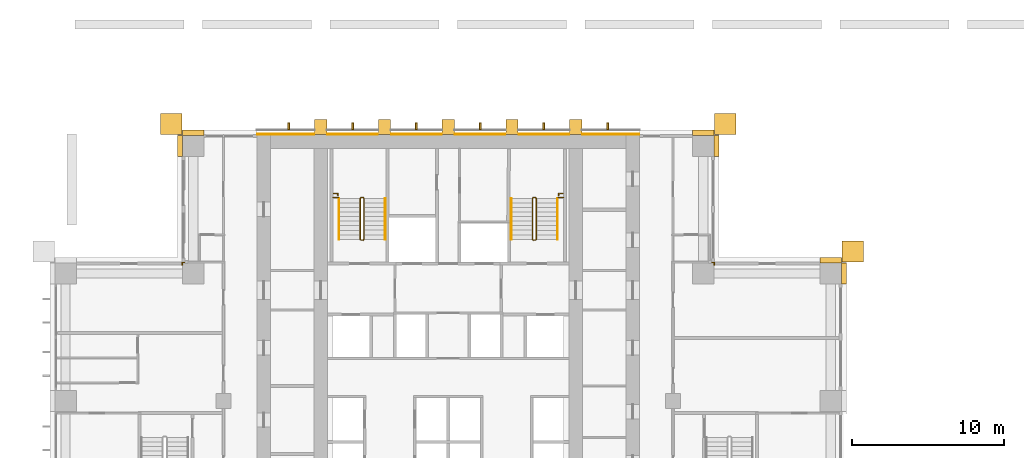
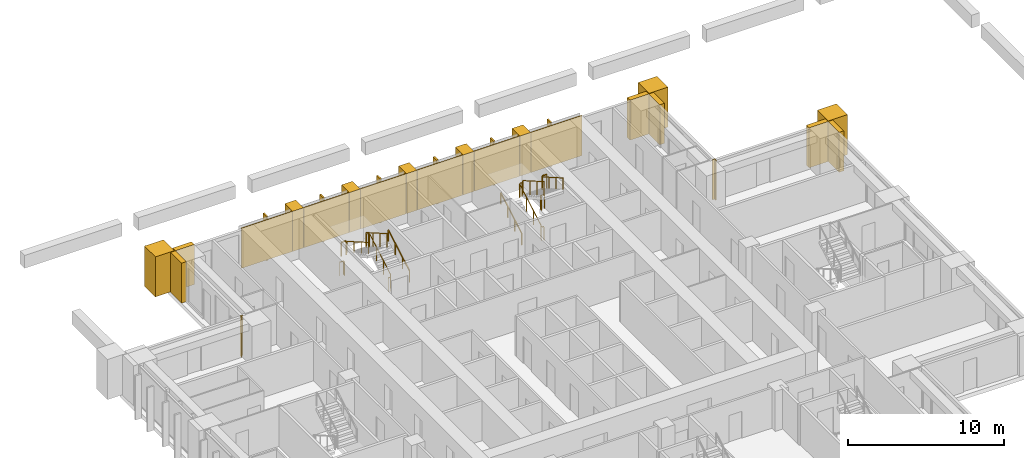
# One storey, part 18 of 18: 28 coverings, 10 railings.
"""IFC4 building model written with IfcOpenShell, lengths in metres."""

from ifc_helpers import new_model, si_unit, direction, frame, origin, origin_2d, place, context, subcontext, project, spatial, polyline, rectangle, outline, extrude, material, layer, layer_set, type_object, element, save


model = new_model("IFC4")

# Units and contexts
model_context = context("Model", 3, precision=1e-05, world=origin(), true_north=direction((0.0, 1.0)))
body_context = subcontext(model_context, "Body", "Model", "MODEL_VIEW")
ifc_project = project(units=[si_unit("LENGTHUNIT", "METRE"), si_unit("AREAUNIT", "SQUARE_METRE"), si_unit("VOLUMEUNIT", "CUBIC_METRE"), si_unit("PLANEANGLEUNIT", "RADIAN"), si_unit("MASSUNIT", "GRAM", prefix="KILO")], contexts=[model_context])

# Site, building, storey
site_placement = place(None, origin())
site = spatial("IfcSite", under=ifc_project, at=site_placement, CompositionType="ELEMENT")
building_placement = place(site_placement, origin())
building = spatial("IfcBuilding", under=site, at=building_placement, Name="Vermilion Ogive Tower", CompositionType="ELEMENT")
storey_placement = place(building_placement, frame((0.0, 0.0, 34.5)))
storey = spatial("IfcBuildingStorey", under=building, at=storey_placement, Name="L06", CompositionType="ELEMENT", Elevation=34.5)

# Coverings
ifc_material_1 = material(Name="Glazed ceramic screen")
ifc_layer = layer(ifc_material_1, 0.14990234375)
ifc_layer_set = layer_set([ifc_layer], Name="Ceramic solar screen fin")
covering_type_1 = type_object("IfcCoveringType", Name="Ceramic solar screen fin", PredefinedType="CLADDING", material=ifc_layer_set)
covering_1_placement = place(storey_placement, frame((0.0, 0.0, -0.320068359375)))
element("IfcCovering", 1, at=covering_1_placement, inside=storey, type_object=covering_type_1, Name="Solar screen blade N1", PredefinedType="CLADDING", context=body_context, shape_type="SweptSolid", body=[
    extrude(outline(polyline([(-10.56005859375, 22.08203125), (-10.43994140625, 22.08203125), (-10.43994140625, 22.531982421875), (-10.56005859375, 22.531982421875), (-10.56005859375, 22.08203125)])), origin(), (0.0, 0.0, 1.0), 3.449951171875),
])
covering_2_placement = place(storey_placement, frame((0.0, 0.0, -0.320068359375)))
element("IfcCovering", 2, at=covering_2_placement, inside=storey, type_object=covering_type_1, Name="Solar screen blade N2", PredefinedType="CLADDING", context=body_context, shape_type="SweptSolid", body=[
    extrude(outline(polyline([(-6.360107421875, 22.08203125), (-6.239990234375, 22.08203125), (-6.239990234375, 22.531982421875), (-6.360107421875, 22.531982421875), (-6.360107421875, 22.08203125)])), origin(), (0.0, 0.0, 1.0), 3.449951171875),
])
covering_3_placement = place(storey_placement, frame((0.0, 0.0, -0.320068359375)))
element("IfcCovering", 3, at=covering_3_placement, inside=storey, type_object=covering_type_1, Name="Solar screen blade N3", PredefinedType="CLADDING", context=body_context, shape_type="SweptSolid", body=[
    extrude(outline(polyline([(-2.159912109375, 22.08203125), (-2.0400390625, 22.08203125), (-2.0400390625, 22.531982421875), (-2.159912109375, 22.531982421875), (-2.159912109375, 22.08203125)])), origin(), (0.0, 0.0, 1.0), 3.449951171875),
])
covering_4_placement = place(storey_placement, frame((0.0, 0.0, -0.320068359375)))
element("IfcCovering", 4, at=covering_4_placement, inside=storey, type_object=covering_type_1, Name="Solar screen blade N4", PredefinedType="CLADDING", context=body_context, shape_type="SweptSolid", body=[
    extrude(outline(polyline([(2.0400390625, 22.08203125), (2.159912109375, 22.08203125), (2.159912109375, 22.531982421875), (2.0400390625, 22.531982421875), (2.0400390625, 22.08203125)])), origin(), (0.0, 0.0, 1.0), 3.449951171875),
])
covering_5_placement = place(storey_placement, frame((0.0, 0.0, -0.320068359375)))
element("IfcCovering", 5, at=covering_5_placement, inside=storey, type_object=covering_type_1, Name="Solar screen blade N5", PredefinedType="CLADDING", context=body_context, shape_type="SweptSolid", body=[
    extrude(outline(polyline([(6.239990234375, 22.08203125), (6.360107421875, 22.08203125), (6.360107421875, 22.531982421875), (6.239990234375, 22.531982421875), (6.239990234375, 22.08203125)])), origin(), (0.0, 0.0, 1.0), 3.449951171875),
])
covering_6_placement = place(storey_placement, frame((0.0, 0.0, -0.320068359375)))
element("IfcCovering", 6, at=covering_6_placement, inside=storey, type_object=covering_type_1, Name="Solar screen blade N6", PredefinedType="CLADDING", context=body_context, shape_type="SweptSolid", body=[
    extrude(outline(polyline([(10.43994140625, 22.08203125), (10.56005859375, 22.08203125), (10.56005859375, 22.531982421875), (10.43994140625, 22.531982421875), (10.43994140625, 22.08203125)])), origin(), (0.0, 0.0, 1.0), 3.449951171875),
])

# Railings
ifc_material_2 = material(Name="Steel S355 painted", Category="steel")
railing_type_1 = type_object("IfcRailingType", Name="Stair guard 1100", PredefinedType="GUARDRAIL", material=ifc_material_2)
railing_1_placement = place(storey_placement, frame((-5.75, 14.800048828125, 0.0)))
element("IfcRailing", 7, at=railing_1_placement, inside=storey, type_object=railing_type_1, Name="L06 ST1 stair guard 4", PredefinedType="GUARDRAIL", context=body_context, shape_type="SweptSolid", body=[
    extrude(rectangle(XDim=0.048095703125, YDim=0.048095703125, at=origin_2d()), frame((0.0, 0.0, 1.076171875), z_axis=(1.0, 0.0, 0.0), x_axis=(0.0, 1.0, 0.0)), (0.0, 0.0, 1.0), 0.14990234375),
    extrude(rectangle(XDim=0.048095703125, YDim=0.048095703125, at=origin_2d()), frame((0.14990234375, 0.0, 1.076171875), z_axis=(0.268277960024, 0.268277960024, 0.925231793839), x_axis=(-0.707106781187, 0.707106781187, 0.0)), (0.0, 0.0, 1.0), 0.1865234375),
    extrude(rectangle(XDim=0.048095703125, YDim=0.048095703125, at=origin_2d()), frame((0.199951171875, 0.050048828125, 1.24853515625), z_axis=(0.0, 0.866903762492, 0.498475542607), x_axis=(-1.0, 0.0, 0.0)), (0.0, 0.0, 1.0), 3.114501953125),
    extrude(rectangle(XDim=0.048095703125, YDim=0.048095703125, at=origin_2d()), frame((0.199951171875, 2.75, 2.80126953125), z_axis=(-0.707106781187, 0.707106781187, 0.0), x_axis=(-0.707106781187, -0.707106781187, 0.0)), (0.0, 0.0, 1.0), 0.07080078125),
    extrude(rectangle(XDim=0.048095703125, YDim=0.048095703125, at=origin_2d()), frame((0.14990234375, 2.800048828125, 2.80126953125), z_axis=(-1.0, 0.0, 0.0), x_axis=(0.0, -1.0, 0.0)), (0.0, 0.0, 1.0), 0.14990234375),
    extrude(rectangle(XDim=0.048095703125, YDim=0.048095703125, at=origin_2d()), frame((0.0, 2.800048828125, 2.80126953125), z_axis=(-0.268603158521, -0.268603158521, 0.925043072762), x_axis=(0.707106781187, -0.707106781187, 0.0)), (0.0, 0.0, 1.0), 0.186279296875),
    extrude(rectangle(XDim=0.048095703125, YDim=0.048095703125, at=origin_2d()), frame((-0.050048828125, 2.75, 2.9736328125), z_axis=(0.0, -0.866903762492, 0.498475542607), x_axis=(1.0, 0.0, 0.0)), (0.0, 0.0, 1.0), 3.114501953125),
    extrude(rectangle(XDim=0.0419921875, YDim=0.0419921875, at=origin_2d()), origin(), (0.0, 0.0, 1.0), 1.052001953125),
    extrude(rectangle(XDim=0.0419921875, YDim=0.0419921875, at=origin_2d()), frame((0.14990234375, 0.0, 0.0)), (0.0, 0.0, 1.0), 1.052001953125),
    extrude(rectangle(XDim=0.0419921875, YDim=0.0419921875, at=origin_2d()), frame((0.199951171875, 0.050048828125, 0.172607421875)), (0.0, 0.0, 1.0), 1.052001953125),
    extrude(rectangle(XDim=0.0419921875, YDim=0.0419921875, at=origin_2d()), frame((0.199951171875, 0.949951171875, 0.690185546875)), (0.0, 0.0, 1.0), 1.052001953125),
    extrude(rectangle(XDim=0.0419921875, YDim=0.0419921875, at=origin_2d()), frame((0.199951171875, 1.85009765625, 1.20751953125)), (0.0, 0.0, 1.0), 1.052001953125),
    extrude(rectangle(XDim=0.0419921875, YDim=0.0419921875, at=origin_2d()), frame((0.199951171875, 2.75, 1.72509765625)), (0.0, 0.0, 1.0), 1.052001953125),
    extrude(rectangle(XDim=0.0419921875, YDim=0.0419921875, at=origin_2d()), frame((0.14990234375, 2.800048828125, 1.72509765625)), (0.0, 0.0, 1.0), 1.052001953125),
    extrude(rectangle(XDim=0.0419921875, YDim=0.0419921875, at=origin_2d()), frame((0.0, 2.800048828125, 1.72509765625)), (0.0, 0.0, 1.0), 1.052001953125),
    extrude(rectangle(XDim=0.0419921875, YDim=0.0419921875, at=origin_2d()), frame((-0.050048828125, 2.75, 1.8974609375)), (0.0, 0.0, 1.0), 1.052001953125),
    extrude(rectangle(XDim=0.0419921875, YDim=0.0419921875, at=origin_2d()), frame((-0.050048828125, 1.85009765625, 2.4150390625)), (0.0, 0.0, 1.0), 1.052001953125),
    extrude(rectangle(XDim=0.0419921875, YDim=0.0419921875, at=origin_2d()), frame((-0.050048828125, 0.949951171875, 2.932373046875)), (0.0, 0.0, 1.0), 1.052001953125),
    extrude(rectangle(XDim=0.0419921875, YDim=0.0419921875, at=origin_2d()), frame((-0.050048828125, 0.050048828125, 3.449951171875)), (0.0, 0.0, 1.0), 1.052001953125),
])
railing_2_placement = place(storey_placement, frame((5.75, 14.800048828125, 0.0)))
element("IfcRailing", 8, at=railing_2_placement, inside=storey, type_object=railing_type_1, Name="L06 ST2 stair guard 4", PredefinedType="GUARDRAIL", context=body_context, shape_type="SweptSolid", body=[
    extrude(rectangle(XDim=0.048095703125, YDim=0.048095703125, at=origin_2d()), frame((0.0, 0.0, 1.076171875), z_axis=(-1.0, 0.0, 0.0), x_axis=(0.0, -1.0, 0.0)), (0.0, 0.0, 1.0), 0.14990234375),
    extrude(rectangle(XDim=0.048095703125, YDim=0.048095703125, at=origin_2d()), frame((-0.14990234375, 0.0, 1.076171875), z_axis=(-0.268277960024, 0.268277960024, 0.925231793839), x_axis=(-0.707106781187, -0.707106781187, 0.0)), (0.0, 0.0, 1.0), 0.1865234375),
    extrude(rectangle(XDim=0.048095703125, YDim=0.048095703125, at=origin_2d()), frame((-0.199951171875, 0.050048828125, 1.24853515625), z_axis=(0.0, 0.866903762492, 0.498475542607), x_axis=(-1.0, 0.0, 0.0)), (0.0, 0.0, 1.0), 3.114501953125),
    extrude(rectangle(XDim=0.048095703125, YDim=0.048095703125, at=origin_2d()), frame((-0.199951171875, 2.75, 2.80126953125), z_axis=(0.707106781187, 0.707106781187, 0.0), x_axis=(-0.707106781187, 0.707106781187, 0.0)), (0.0, 0.0, 1.0), 0.07080078125),
    extrude(rectangle(XDim=0.048095703125, YDim=0.048095703125, at=origin_2d()), frame((-0.14990234375, 2.800048828125, 2.80126953125), z_axis=(1.0, 0.0, 0.0), x_axis=(0.0, 1.0, 0.0)), (0.0, 0.0, 1.0), 0.14990234375),
    extrude(rectangle(XDim=0.048095703125, YDim=0.048095703125, at=origin_2d()), frame((0.0, 2.800048828125, 2.80126953125), z_axis=(0.268603158521, -0.268603158521, 0.925043072762), x_axis=(0.707106781187, 0.707106781187, 0.0)), (0.0, 0.0, 1.0), 0.186279296875),
    extrude(rectangle(XDim=0.048095703125, YDim=0.048095703125, at=origin_2d()), frame((0.050048828125, 2.75, 2.9736328125), z_axis=(0.0, -0.866903762492, 0.498475542607), x_axis=(1.0, 0.0, 0.0)), (0.0, 0.0, 1.0), 3.114501953125),
    extrude(rectangle(XDim=0.0419921875, YDim=0.0419921875, at=origin_2d()), origin(), (0.0, 0.0, 1.0), 1.052001953125),
    extrude(rectangle(XDim=0.0419921875, YDim=0.0419921875, at=origin_2d()), frame((-0.14990234375, 0.0, 0.0)), (0.0, 0.0, 1.0), 1.052001953125),
    extrude(rectangle(XDim=0.0419921875, YDim=0.0419921875, at=origin_2d()), frame((-0.199951171875, 0.050048828125, 0.172607421875)), (0.0, 0.0, 1.0), 1.052001953125),
    extrude(rectangle(XDim=0.0419921875, YDim=0.0419921875, at=origin_2d()), frame((-0.199951171875, 0.949951171875, 0.690185546875)), (0.0, 0.0, 1.0), 1.052001953125),
    extrude(rectangle(XDim=0.0419921875, YDim=0.0419921875, at=origin_2d()), frame((-0.199951171875, 1.85009765625, 1.20751953125)), (0.0, 0.0, 1.0), 1.052001953125),
    extrude(rectangle(XDim=0.0419921875, YDim=0.0419921875, at=origin_2d()), frame((-0.199951171875, 2.75, 1.72509765625)), (0.0, 0.0, 1.0), 1.052001953125),
    extrude(rectangle(XDim=0.0419921875, YDim=0.0419921875, at=origin_2d()), frame((-0.14990234375, 2.800048828125, 1.72509765625)), (0.0, 0.0, 1.0), 1.052001953125),
    extrude(rectangle(XDim=0.0419921875, YDim=0.0419921875, at=origin_2d()), frame((0.0, 2.800048828125, 1.72509765625)), (0.0, 0.0, 1.0), 1.052001953125),
    extrude(rectangle(XDim=0.0419921875, YDim=0.0419921875, at=origin_2d()), frame((0.050048828125, 2.75, 1.8974609375)), (0.0, 0.0, 1.0), 1.052001953125),
    extrude(rectangle(XDim=0.0419921875, YDim=0.0419921875, at=origin_2d()), frame((0.050048828125, 1.85009765625, 2.4150390625)), (0.0, 0.0, 1.0), 1.052001953125),
    extrude(rectangle(XDim=0.0419921875, YDim=0.0419921875, at=origin_2d()), frame((0.050048828125, 0.949951171875, 2.932373046875)), (0.0, 0.0, 1.0), 1.052001953125),
    extrude(rectangle(XDim=0.0419921875, YDim=0.0419921875, at=origin_2d()), frame((0.050048828125, 0.050048828125, 3.449951171875)), (0.0, 0.0, 1.0), 1.052001953125),
])
for number, where, name in (
    (9, (-7.60009765625, 17.60009765625, 1.72509765625), "L06 landing guard"),
    (10, (7.25, 17.60009765625, 1.72509765625), "L06 landing guard"),
):
    element("IfcRailing", number, at=place(storey_placement, frame(where)), inside=storey, type_object=railing_type_1, Name=name, PredefinedType="GUARDRAIL", context=body_context, shape_type="SweptSolid", body=[
        extrude(rectangle(XDim=0.048095703125, YDim=0.048095703125, at=origin_2d()), frame((0.0, 0.0, 1.076171875), z_axis=(1.0, 0.0, 0.0), x_axis=(0.0, 1.0, 0.0)), (0.0, 0.0, 1.0), 0.35009765625),
        extrude(rectangle(XDim=0.0419921875, YDim=0.0419921875, at=origin_2d()), origin(), (0.0, 0.0, 1.0), 1.052001953125),
        extrude(rectangle(XDim=0.0419921875, YDim=0.0419921875, at=origin_2d()), frame((0.35009765625, 0.0, 0.0)), (0.0, 0.0, 1.0), 1.052001953125),
    ])
railing_3_placement = place(storey_placement, frame((-7.56298828125, 17.87451171875, 0.0)))
element("IfcRailing", 11, at=railing_3_placement, inside=storey, type_object=railing_type_1, Name="L06 stair opening guard", PredefinedType="GUARDRAIL", context=body_context, shape_type="SweptSolid", body=[
    extrude(rectangle(XDim=0.048095703125, YDim=0.048095703125, at=origin_2d()), frame((0.0, 0.0, 1.076171875), z_axis=(1.0, 0.0, 0.0), x_axis=(0.0, 1.0, 0.0)), (0.0, 0.0, 1.0), 0.2900390625),
    extrude(rectangle(XDim=0.048095703125, YDim=0.048095703125, at=origin_2d()), frame((0.2900390625, 0.0, 1.076171875), z_axis=(0.0, -1.0, 0.0), x_axis=(1.0, 0.0, 0.0)), (0.0, 0.0, 1.0), 0.119873046875),
    extrude(rectangle(XDim=0.0419921875, YDim=0.0419921875, at=origin_2d()), origin(), (0.0, 0.0, 1.0), 1.052001953125),
    extrude(rectangle(XDim=0.0419921875, YDim=0.0419921875, at=origin_2d()), frame((0.2900390625, 0.0, 0.0)), (0.0, 0.0, 1.0), 1.052001953125),
    extrude(rectangle(XDim=0.0419921875, YDim=0.0419921875, at=origin_2d()), frame((0.2900390625, -0.119873046875, 0.0)), (0.0, 0.0, 1.0), 1.052001953125),
])
railing_4_placement = place(storey_placement, frame((7.27294921875, 17.754638671875, 0.0)))
element("IfcRailing", 12, at=railing_4_placement, inside=storey, type_object=railing_type_1, Name="L06 stair opening guard", PredefinedType="GUARDRAIL", context=body_context, shape_type="SweptSolid", body=[
    extrude(rectangle(XDim=0.048095703125, YDim=0.048095703125, at=origin_2d()), frame((0.0, 0.0, 1.076171875), z_axis=(0.0, 1.0, 0.0), x_axis=(-1.0, 0.0, 0.0)), (0.0, 0.0, 1.0), 0.119873046875),
    extrude(rectangle(XDim=0.048095703125, YDim=0.048095703125, at=origin_2d()), frame((0.0, 0.119873046875, 1.076171875), z_axis=(1.0, 0.0, 0.0), x_axis=(0.0, 1.0, 0.0)), (0.0, 0.0, 1.0), 0.2900390625),
    extrude(rectangle(XDim=0.0419921875, YDim=0.0419921875, at=origin_2d()), origin(), (0.0, 0.0, 1.0), 1.052001953125),
    extrude(rectangle(XDim=0.0419921875, YDim=0.0419921875, at=origin_2d()), frame((0.0, 0.119873046875, 0.0)), (0.0, 0.0, 1.0), 1.052001953125),
    extrude(rectangle(XDim=0.0419921875, YDim=0.0419921875, at=origin_2d()), frame((0.2900390625, 0.119873046875, 0.0)), (0.0, 0.0, 1.0), 1.052001953125),
])
ifc_material_3 = material(Name="Stainless steel", Category="steel")
railing_type_2 = type_object("IfcRailingType", Name="Stair handrail 900", PredefinedType="HANDRAIL", material=ifc_material_3)
railing_5_placement = place(storey_placement, frame((-4.14990234375, 14.85009765625, 0.172607421875)))
element("IfcRailing", 13, at=railing_5_placement, inside=storey, type_object=railing_type_2, Name="L06 ST1 stair handrail 1", PredefinedType="HANDRAIL", context=body_context, shape_type="SweptSolid", body=[
    extrude(rectangle(XDim=0.048095703125, YDim=0.048095703125, at=origin_2d()), frame((0.0, 0.0, 0.8759765625), z_axis=(0.0, 0.866903762492, 0.498475542607), x_axis=(-1.0, 0.0, 0.0)), (0.0, 0.0, 1.0), 3.114501953125),
    extrude(rectangle(XDim=0.0419921875, YDim=0.0419921875, at=origin_2d()), origin(), (0.0, 0.0, 1.0), 0.851806640625),
    extrude(rectangle(XDim=0.0419921875, YDim=0.0419921875, at=origin_2d()), frame((0.0, 0.89990234375, 0.517578125)), (0.0, 0.0, 1.0), 0.851806640625),
    extrude(rectangle(XDim=0.0419921875, YDim=0.0419921875, at=origin_2d()), frame((0.0, 1.800048828125, 1.034912109375)), (0.0, 0.0, 1.0), 0.851806640625),
    extrude(rectangle(XDim=0.0419921875, YDim=0.0419921875, at=origin_2d()), frame((0.0, 2.699951171875, 1.552490234375)), (0.0, 0.0, 1.0), 0.851806640625),
])
railing_6_placement = place(storey_placement, frame((-7.199951171875, 17.550048828125, 1.8974609375)))
element("IfcRailing", 14, at=railing_6_placement, inside=storey, type_object=railing_type_2, Name="L06 ST1 stair handrail 2", PredefinedType="HANDRAIL", context=body_context, shape_type="SweptSolid", body=[
    extrude(rectangle(XDim=0.048095703125, YDim=0.048095703125, at=origin_2d()), frame((0.0, 0.0, 0.8759765625), z_axis=(0.0, -0.866903762492, 0.498475542607), x_axis=(1.0, 0.0, 0.0)), (0.0, 0.0, 1.0), 3.114501953125),
    extrude(rectangle(XDim=0.0419921875, YDim=0.0419921875, at=origin_2d()), origin(), (0.0, 0.0, 1.0), 0.851806640625),
    extrude(rectangle(XDim=0.0419921875, YDim=0.0419921875, at=origin_2d()), frame((0.0, -0.89990234375, 0.517578125)), (0.0, 0.0, 1.0), 0.851806640625),
    extrude(rectangle(XDim=0.0419921875, YDim=0.0419921875, at=origin_2d()), frame((0.0, -1.800048828125, 1.034912109375)), (0.0, 0.0, 1.0), 0.851806640625),
    extrude(rectangle(XDim=0.0419921875, YDim=0.0419921875, at=origin_2d()), frame((0.0, -2.699951171875, 1.552490234375)), (0.0, 0.0, 1.0), 0.851806640625),
])
railing_7_placement = place(storey_placement, frame((4.14990234375, 14.85009765625, 0.172607421875)))
element("IfcRailing", 15, at=railing_7_placement, inside=storey, type_object=railing_type_2, Name="L06 ST2 stair handrail 1", PredefinedType="HANDRAIL", context=body_context, shape_type="SweptSolid", body=[
    extrude(rectangle(XDim=0.048095703125, YDim=0.048095703125, at=origin_2d()), frame((0.0, 0.0, 0.8759765625), z_axis=(0.0, 0.866903762492, 0.498475542607), x_axis=(-1.0, 0.0, 0.0)), (0.0, 0.0, 1.0), 3.114501953125),
    extrude(rectangle(XDim=0.0419921875, YDim=0.0419921875, at=origin_2d()), origin(), (0.0, 0.0, 1.0), 0.851806640625),
    extrude(rectangle(XDim=0.0419921875, YDim=0.0419921875, at=origin_2d()), frame((0.0, 0.89990234375, 0.517578125)), (0.0, 0.0, 1.0), 0.851806640625),
    extrude(rectangle(XDim=0.0419921875, YDim=0.0419921875, at=origin_2d()), frame((0.0, 1.800048828125, 1.034912109375)), (0.0, 0.0, 1.0), 0.851806640625),
    extrude(rectangle(XDim=0.0419921875, YDim=0.0419921875, at=origin_2d()), frame((0.0, 2.699951171875, 1.552490234375)), (0.0, 0.0, 1.0), 0.851806640625),
])
railing_8_placement = place(storey_placement, frame((7.199951171875, 17.550048828125, 1.8974609375)))
element("IfcRailing", 16, at=railing_8_placement, inside=storey, type_object=railing_type_2, Name="L06 ST2 stair handrail 2", PredefinedType="HANDRAIL", context=body_context, shape_type="SweptSolid", body=[
    extrude(rectangle(XDim=0.048095703125, YDim=0.048095703125, at=origin_2d()), frame((0.0, 0.0, 0.8759765625), z_axis=(0.0, -0.866903762492, 0.498475542607), x_axis=(1.0, 0.0, 0.0)), (0.0, 0.0, 1.0), 3.114501953125),
    extrude(rectangle(XDim=0.0419921875, YDim=0.0419921875, at=origin_2d()), origin(), (0.0, 0.0, 1.0), 0.851806640625),
    extrude(rectangle(XDim=0.0419921875, YDim=0.0419921875, at=origin_2d()), frame((0.0, -0.89990234375, 0.517578125)), (0.0, 0.0, 1.0), 0.851806640625),
    extrude(rectangle(XDim=0.0419921875, YDim=0.0419921875, at=origin_2d()), frame((0.0, -1.800048828125, 1.034912109375)), (0.0, 0.0, 1.0), 0.851806640625),
    extrude(rectangle(XDim=0.0419921875, YDim=0.0419921875, at=origin_2d()), frame((0.0, -2.699951171875, 1.552490234375)), (0.0, 0.0, 1.0), 0.851806640625),
])

# Coverings
ifc_material_4 = material(Name="Stone cladding", Category="masonry")
covering_type_2 = type_object("IfcCoveringType", Name="Stone buttress pier", PredefinedType="CLADDING", material=ifc_material_4)
covering_7_placement = place(storey_placement, origin())
element("IfcCovering", 17, at=covering_7_placement, inside=storey, type_object=covering_type_2, Name="Stone buttress pier N1", PredefinedType="CLADDING", context=body_context, shape_type="SweptSolid", body=[
    extrude(outline(polyline([(-8.800048828125, 21.75), (-8.0, 21.75), (-8.0, 22.75), (-8.800048828125, 22.75), (-8.800048828125, 21.75)])), origin(), (0.0, 0.0, 1.0), 3.1298828125),
])
covering_8_placement = place(storey_placement, origin())
element("IfcCovering", 18, at=covering_8_placement, inside=storey, type_object=covering_type_2, Name="Stone buttress pier N2", PredefinedType="CLADDING", context=body_context, shape_type="SweptSolid", body=[
    extrude(outline(polyline([(-4.60009765625, 21.75), (-3.800048828125, 21.75), (-3.800048828125, 22.75), (-4.60009765625, 22.75), (-4.60009765625, 21.75)])), origin(), (0.0, 0.0, 1.0), 3.1298828125),
])
covering_9_placement = place(storey_placement, origin())
element("IfcCovering", 19, at=covering_9_placement, inside=storey, type_object=covering_type_2, Name="Stone buttress pier N3", PredefinedType="CLADDING", context=body_context, shape_type="SweptSolid", body=[
    extrude(outline(polyline([(-0.39990234375, 21.75), (0.39990234375, 21.75), (0.39990234375, 22.75), (-0.39990234375, 22.75), (-0.39990234375, 21.75)])), origin(), (0.0, 0.0, 1.0), 3.1298828125),
])
covering_10_placement = place(storey_placement, origin())
element("IfcCovering", 20, at=covering_10_placement, inside=storey, type_object=covering_type_2, Name="Stone buttress pier N4", PredefinedType="CLADDING", context=body_context, shape_type="SweptSolid", body=[
    extrude(outline(polyline([(3.800048828125, 21.75), (4.60009765625, 21.75), (4.60009765625, 22.75), (3.800048828125, 22.75), (3.800048828125, 21.75)])), origin(), (0.0, 0.0, 1.0), 3.1298828125),
])
covering_11_placement = place(storey_placement, origin())
element("IfcCovering", 21, at=covering_11_placement, inside=storey, type_object=covering_type_2, Name="Stone buttress pier N5", PredefinedType="CLADDING", context=body_context, shape_type="SweptSolid", body=[
    extrude(outline(polyline([(8.0, 21.75), (8.800048828125, 21.75), (8.800048828125, 22.75), (8.0, 22.75), (8.0, 21.75)])), origin(), (0.0, 0.0, 1.0), 3.1298828125),
])
ifc_material_5 = material(Name="Stone cladding", Category="masonry")
covering_type_3 = type_object("IfcCoveringType", Name="Stone cladding panel", PredefinedType="CLADDING", material=ifc_material_5)
covering_12_placement = place(storey_placement, origin())
element("IfcCovering", 22, at=covering_12_placement, inside=storey, type_object=covering_type_3, Name="Stone cladding panel N1", PredefinedType="CLADDING", context=body_context, shape_type="SweptSolid", body=[
    extrude(outline(polyline([(-12.590087890625, 21.75), (-8.830078125, 21.75), (-8.830078125, 21.81005859375), (-12.590087890625, 21.81005859375), (-12.590087890625, 21.75)])), origin(), (0.0, 0.0, 1.0), 3.1298828125),
])
covering_13_placement = place(storey_placement, origin())
element("IfcCovering", 23, at=covering_13_placement, inside=storey, type_object=covering_type_3, Name="Stone cladding panel N2", PredefinedType="CLADDING", context=body_context, shape_type="SweptSolid", body=[
    extrude(outline(polyline([(-7.969970703125, 21.75), (-4.6298828125, 21.75), (-4.6298828125, 21.81005859375), (-7.969970703125, 21.81005859375), (-7.969970703125, 21.75)])), origin(), (0.0, 0.0, 1.0), 3.1298828125),
])
covering_14_placement = place(storey_placement, origin())
element("IfcCovering", 24, at=covering_14_placement, inside=storey, type_object=covering_type_3, Name="Stone cladding panel N3", PredefinedType="CLADDING", context=body_context, shape_type="SweptSolid", body=[
    extrude(outline(polyline([(-3.77001953125, 21.75), (-0.429931640625, 21.75), (-0.429931640625, 21.81005859375), (-3.77001953125, 21.81005859375), (-3.77001953125, 21.75)])), origin(), (0.0, 0.0, 1.0), 3.1298828125),
])
covering_15_placement = place(storey_placement, origin())
element("IfcCovering", 25, at=covering_15_placement, inside=storey, type_object=covering_type_3, Name="Stone cladding panel N4", PredefinedType="CLADDING", context=body_context, shape_type="SweptSolid", body=[
    extrude(outline(polyline([(0.429931640625, 21.75), (3.77001953125, 21.75), (3.77001953125, 21.81005859375), (0.429931640625, 21.81005859375), (0.429931640625, 21.75)])), origin(), (0.0, 0.0, 1.0), 3.1298828125),
])
covering_16_placement = place(storey_placement, origin())
element("IfcCovering", 26, at=covering_16_placement, inside=storey, type_object=covering_type_3, Name="Stone cladding panel N5", PredefinedType="CLADDING", context=body_context, shape_type="SweptSolid", body=[
    extrude(outline(polyline([(4.6298828125, 21.75), (7.969970703125, 21.75), (7.969970703125, 21.81005859375), (4.6298828125, 21.81005859375), (4.6298828125, 21.75)])), origin(), (0.0, 0.0, 1.0), 3.1298828125),
])
covering_17_placement = place(storey_placement, origin())
element("IfcCovering", 27, at=covering_17_placement, inside=storey, type_object=covering_type_3, Name="Stone cladding panel N6", PredefinedType="CLADDING", context=body_context, shape_type="SweptSolid", body=[
    extrude(outline(polyline([(8.830078125, 21.75), (12.590087890625, 21.75), (12.590087890625, 21.81005859375), (8.830078125, 21.81005859375), (8.830078125, 21.75)])), origin(), (0.0, 0.0, 1.0), 3.1298828125),
])
ifc_material_6 = material(Name="Stone cladding", Category="masonry")
covering_type_4 = type_object("IfcCoveringType", Name="Stone corner buttress", PredefinedType="CLADDING", material=ifc_material_6)
covering_18_placement = place(storey_placement, origin())
element("IfcCovering", 28, at=covering_18_placement, inside=storey, type_object=covering_type_4, Name="Stone corner buttress X31", PredefinedType="CLADDING", context=body_context, shape_type="SweptSolid", body=[
    extrude(outline(polyline([(27.35009765625, 14.75), (27.35009765625, 13.35009765625), (25.949951171875, 13.35009765625), (25.949951171875, 14.75), (27.35009765625, 14.75)])), origin(), (0.0, 0.0, 1.0), 3.1298828125),
])
covering_19_placement = place(storey_placement, origin())
element("IfcCovering", 29, at=covering_19_placement, inside=storey, type_object=covering_type_4, Name="Stone corner buttress N11", PredefinedType="CLADDING", context=body_context, shape_type="SweptSolid", body=[
    extrude(outline(polyline([(18.949951171875, 23.14990234375), (18.949951171875, 21.75), (17.550048828125, 21.75), (17.550048828125, 23.14990234375), (18.949951171875, 23.14990234375)])), origin(), (0.0, 0.0, 1.0), 3.1298828125),
])
covering_20_placement = place(storey_placement, origin())
element("IfcCovering", 30, at=covering_20_placement, inside=storey, type_object=covering_type_4, Name="Stone corner buttress X51", PredefinedType="CLADDING", context=body_context, shape_type="SweptSolid", body=[
    extrude(outline(polyline([(-18.949951171875, 23.14990234375), (-17.550048828125, 23.14990234375), (-17.550048828125, 21.75), (-18.949951171875, 21.75), (-18.949951171875, 23.14990234375)])), origin(), (0.0, 0.0, 1.0), 3.1298828125),
])
ifc_material_7 = material(Name="Stone cladding", Category="masonry")
covering_type_5 = type_object("IfcCoveringType", Name="Stone pier", PredefinedType="CLADDING", material=ifc_material_7)
covering_21_placement = place(storey_placement, origin())
element("IfcCovering", 31, at=covering_21_placement, inside=storey, type_object=covering_type_5, Name="Stone pier P+0168+210X4", PredefinedType="CLADDING", context=body_context, shape_type="SweptSolid", body=[
    extrude(outline(polyline([(17.85009765625, 21.699951171875), (17.85009765625, 20.300048828125), (17.5, 20.300048828125), (17.5, 21.699951171875), (17.85009765625, 21.699951171875)])), origin(), (0.0, 0.0, 1.0), 3.1298828125),
])
covering_22_placement = place(storey_placement, origin())
element("IfcCovering", 32, at=covering_22_placement, inside=storey, type_object=covering_type_5, Name="Stone pier P+0168+210N1", PredefinedType="CLADDING", context=body_context, shape_type="SweptSolid", body=[
    extrude(outline(polyline([(17.5, 22.050048828125), (17.5, 21.699951171875), (16.10009765625, 21.699951171875), (16.10009765625, 22.050048828125), (17.5, 22.050048828125)])), origin(), (0.0, 0.0, 1.0), 3.1298828125),
])
covering_23_placement = place(storey_placement, origin())
element("IfcCovering", 33, at=covering_23_placement, inside=storey, type_object=covering_type_5, Name="Stone pier P+0252+126E", PredefinedType="CLADDING", context=body_context, shape_type="SweptSolid", body=[
    extrude(outline(polyline([(26.25, 13.300048828125), (26.25, 11.89990234375), (25.89990234375, 11.89990234375), (25.89990234375, 13.300048828125), (26.25, 13.300048828125)])), origin(), (0.0, 0.0, 1.0), 3.1298828125),
])
covering_24_placement = place(storey_placement, origin())
element("IfcCovering", 34, at=covering_24_placement, inside=storey, type_object=covering_type_5, Name="Stone pier P+0252+126X3", PredefinedType="CLADDING", context=body_context, shape_type="SweptSolid", body=[
    extrude(outline(polyline([(25.89990234375, 13.64990234375), (25.89990234375, 13.300048828125), (24.5, 13.300048828125), (24.5, 13.64990234375), (25.89990234375, 13.64990234375)])), origin(), (0.0, 0.0, 1.0), 3.1298828125),
])
covering_25_placement = place(storey_placement, origin())
element("IfcCovering", 35, at=covering_25_placement, inside=storey, type_object=covering_type_5, Name="Stone pier P-0168+210N2", PredefinedType="CLADDING", context=body_context, shape_type="SweptSolid", body=[
    extrude(outline(polyline([(-17.5, 21.699951171875), (-17.5, 22.050048828125), (-16.10009765625, 22.050048828125), (-16.10009765625, 21.699951171875), (-17.5, 21.699951171875), (-17.5, 21.699951171875)])), origin(), (0.0, 0.0, 1.0), 3.1298828125),
])
covering_26_placement = place(storey_placement, origin())
element("IfcCovering", 36, at=covering_26_placement, inside=storey, type_object=covering_type_5, Name="Stone pier P-0168+210X5", PredefinedType="CLADDING", context=body_context, shape_type="SweptSolid", body=[
    extrude(outline(polyline([(-17.85009765625, 21.699951171875), (-17.5, 21.699951171875), (-17.5, 21.699951171875), (-17.5, 20.300048828125), (-17.85009765625, 20.300048828125), (-17.85009765625, 21.699951171875)])), origin(), (0.0, 0.0, 1.0), 3.1298828125),
])
covering_27_placement = place(storey_placement, origin())
element("IfcCovering", 37, at=covering_27_placement, inside=storey, type_object=covering_type_5, Name="Stone corner pier X3E1", PredefinedType="CLADDING", context=body_context, shape_type="SweptSolid", body=[
    extrude(outline(polyline([(17.5, 13.14990234375), (17.5, 13.300048828125), (17.35009765625, 13.300048828125), (17.35009765625, 13.35009765625), (17.550048828125, 13.35009765625), (17.550048828125, 13.14990234375), (17.5, 13.14990234375)])), origin(), (0.0, 0.0, 1.0), 3.1298828125),
])
covering_28_placement = place(storey_placement, origin())
element("IfcCovering", 38, at=covering_28_placement, inside=storey, type_object=covering_type_5, Name="Stone corner pier X5E1", PredefinedType="CLADDING", context=body_context, shape_type="SweptSolid", body=[
    extrude(outline(polyline([(-17.35009765625, 13.300048828125), (-17.5, 13.300048828125), (-17.5, 13.14990234375), (-17.550048828125, 13.14990234375), (-17.550048828125, 13.35009765625), (-17.35009765625, 13.35009765625), (-17.35009765625, 13.300048828125)])), origin(), (0.0, 0.0, 1.0), 3.1298828125),
])

save(model, "model.ifc")
